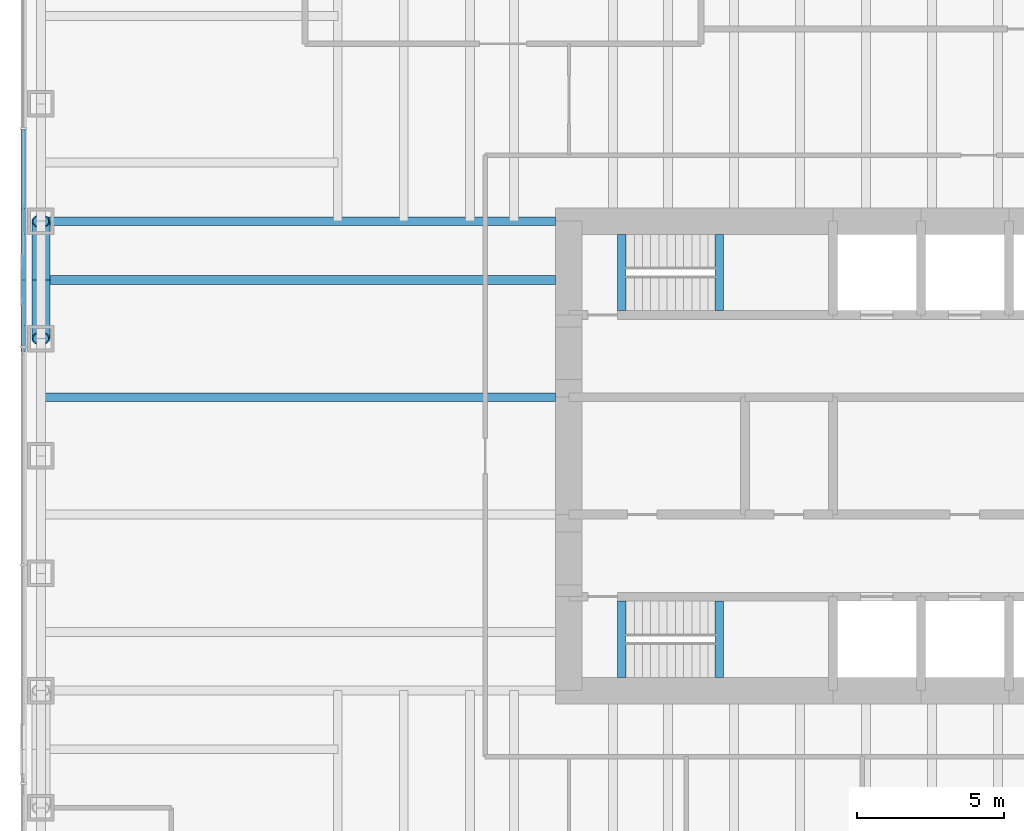
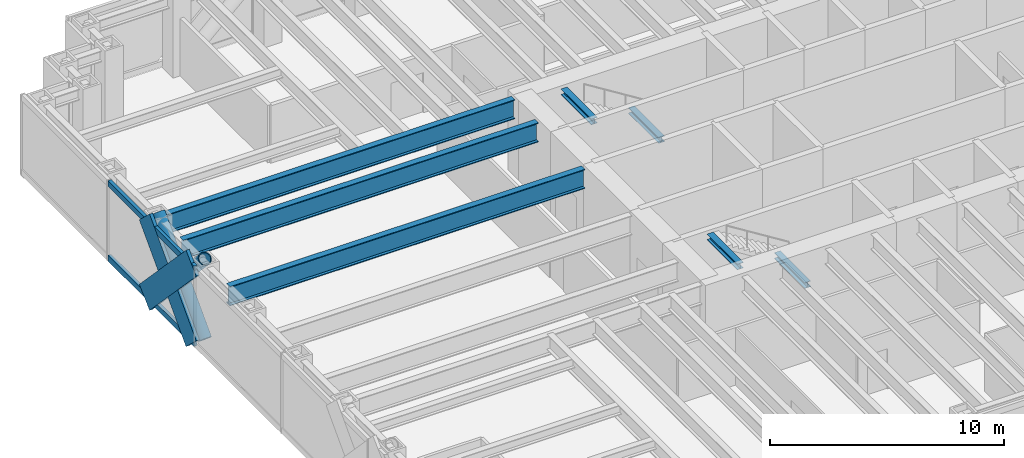
# One storey, part 3 of 17: 7 beams, 6 members, 1 element without a shape of its own.
"""IFC4 building model written with IfcOpenShell, lengths in metres."""

from ifc_helpers import new_model, si_unit, direction, frame, origin, origin_2d, place, context, subcontext, project, spatial, rectangle, hollow_circle, i_section, extrude, material, material_profile, profile_set, type_object, element, aggregate, save


model = new_model("IFC4")

# Units and contexts
model_context = context("Model", 3, precision=1e-05, world=origin(), true_north=direction((0.0, 1.0)))
body_context = subcontext(model_context, "Body", "Model", "MODEL_VIEW")
ifc_project = project(units=[si_unit("LENGTHUNIT", "METRE"), si_unit("AREAUNIT", "SQUARE_METRE"), si_unit("VOLUMEUNIT", "CUBIC_METRE"), si_unit("PLANEANGLEUNIT", "RADIAN"), si_unit("MASSUNIT", "GRAM", prefix="KILO")], contexts=[model_context])

# Site, building, storey
site_placement = place(None, origin())
site = spatial("IfcSite", under=ifc_project, at=site_placement, CompositionType="ELEMENT")
building_placement = place(site_placement, origin())
building = spatial("IfcBuilding", under=site, at=building_placement, Name="Rheinbord Bourse Tower", CompositionType="ELEMENT")
storey_placement = place(building_placement, frame((0.0, 0.0, 129.89990234375)))
storey = spatial("IfcBuildingStorey", under=building, at=storey_placement, Name="L28", CompositionType="ELEMENT", Elevation=129.89990234375)

# Curtain wall, members
ifc_material_1 = material(Name="Dark glass and black aluminium", Category="aluminium")
curtain_wall_type = type_object("IfcCurtainWallType", Name="CW2 DARK GLASS CURTAIN WALL", PredefinedType="USERDEFINED", material=ifc_material_1)
curtain_wall_placement = place(storey_placement, origin())
curtain_wall = element("IfcCurtainWall", 1, at=curtain_wall_placement, inside=storey, type_object=curtain_wall_type, Name="Curtain wall CW2 W L28", ObjectType="UNITISED CURTAIN WALL", PredefinedType="USERDEFINED")
ifc_material_2 = material(Name="Black anodised aluminium", Category="aluminium")
ifc_material_profile_1 = material_profile(ifc_material_2, rectangle(XDim=0.159912109375, YDim=1.2099609375, at=origin_2d()), Name="CW2 DIAGONAL MULLION 1210x160")
ifc_profile_set_1 = profile_set([ifc_material_profile_1], Name="Black anodised aluminium")
member_type_1 = type_object("IfcMemberType", Name="CW2 BLACK DIAGONAL MULLION", PredefinedType="USERDEFINED", material=ifc_profile_set_1)
member_1_placement = place(storey_placement, frame((-0.60009765625, 32.0, 0.0), z_axis=(0.0, -0.689638355374, 0.72415394689), x_axis=(1.0, 0.0, 0.0)))
member_1 = element("IfcMember", 2, at=member_1_placement, type_object=member_type_1, Name="CW2 diagonal mullion a", ObjectType="DIAGONAL MULLION", PredefinedType="USERDEFINED", context=body_context, shape_type="SweptSolid", body=[
    extrude(rectangle(XDim=0.159912109375, YDim=1.2099609375, at=origin_2d()), origin(), (0.0, 0.0, 1.0), 5.800048828125),
])
member_2_placement = place(storey_placement, frame((-0.60009765625, 28.0, 0.0), z_axis=(0.0, 0.689638355374, 0.72415394689), x_axis=(-1.0, 0.0, 0.0)))
member_2 = element("IfcMember", 3, at=member_2_placement, type_object=member_type_1, Name="CW2 diagonal mullion d", ObjectType="DIAGONAL MULLION", PredefinedType="USERDEFINED", context=body_context, shape_type="SweptSolid", body=[
    extrude(rectangle(XDim=0.159912109375, YDim=1.2099609375, at=origin_2d()), origin(), (0.0, 0.0, 1.0), 5.800048828125),
])
ifc_material_3 = material(Name="Black anodised aluminium", Category="aluminium")
ifc_material_profile_2 = material_profile(ifc_material_3, rectangle(XDim=0.159912109375, YDim=0.300048828125, at=origin_2d()), Name="CW2 TRANSOM 300x160")
ifc_profile_set_2 = profile_set([ifc_material_profile_2], Name="Black anodised aluminium")
member_type_2 = type_object("IfcMemberType", Name="CW2 BLACK TRANSOM", PredefinedType="USERDEFINED", material=ifc_profile_set_2)
member_3_placement = place(storey_placement, frame((-0.60009765625, 35.125, 0.150146484375), z_axis=(0.0, -1.0, 0.0), x_axis=(1.0, 0.0, 0.0)))
member_3 = element("IfcMember", 4, at=member_3_placement, type_object=member_type_2, Name="CW2 transom 2.1", ObjectType="TRANSOM", PredefinedType="USERDEFINED", context=body_context, shape_type="SweptSolid", body=[
    extrude(rectangle(XDim=0.159912109375, YDim=0.300048828125, at=origin_2d()), origin(), (0.0, 0.0, 1.0), 7.3701171875),
])
member_4_placement = place(storey_placement, frame((-0.60009765625, 35.125, 4.050048828125), z_axis=(0.0, -1.0, 0.0), x_axis=(1.0, 0.0, 0.0)))
member_4 = element("IfcMember", 5, at=member_4_placement, type_object=member_type_2, Name="CW2 transom 2.2", ObjectType="TRANSOM", PredefinedType="USERDEFINED", context=body_context, shape_type="SweptSolid", body=[
    extrude(rectangle(XDim=0.159912109375, YDim=0.300048828125, at=origin_2d()), origin(), (0.0, 0.0, 1.0), 7.3701171875),
])
aggregate(curtain_wall, [member_3, member_4, member_1, member_2])

# Beams
ifc_material_4 = material(Name="Steel S460", Category="steel")
ifc_material_profile_3 = material_profile(ifc_material_4, i_section(OverallWidth=0.302001953125, OverallDepth=1.008056640625, WebThickness=0.02099609375, FlangeThickness=0.0400390625, at=origin_2d()), Name="HEM 1000")
ifc_profile_set_3 = profile_set([ifc_material_profile_3], Name="Steel S460")
beam_type_1 = type_object("IfcBeamType", Name="END BEAM HEM 1000", PredefinedType="BEAM", material=ifc_profile_set_3)
for number, where, z_axis, x_axis, name in (
    (6, (0.0, 26.0, 3.5361328125), (1.0, 0.0, 0.0), (0.0, 1.0, 0.0), "End beam west 26 L29"),
    (7, (0.0, 30.0, 3.5361328125), (1.0, 0.0, 0.0), (0.0, 1.0, 0.0), "End beam west 30 L29"),
):
    element("IfcBeam", number, at=place(storey_placement, frame(where, z_axis=z_axis, x_axis=x_axis)), inside=storey, type_object=beam_type_1, Name=name, PredefinedType="BEAM", context=body_context, shape_type="SweptSolid", body=[
        extrude(i_section(OverallWidth=0.302001953125, OverallDepth=1.008056640625, WebThickness=0.02099609375, FlangeThickness=0.0400390625, at=origin_2d()), origin(), (0.0, 0.0, 1.0), 17.550048828125),
    ])
ifc_material_5 = material(Name="Steel S460", Category="steel")
ifc_material_profile_4 = material_profile(ifc_material_5, i_section(OverallWidth=0.302001953125, OverallDepth=1.008056640625, WebThickness=0.02099609375, FlangeThickness=0.0400390625, at=origin_2d()), Name="HEM 1000")
ifc_profile_set_4 = profile_set([ifc_material_profile_4], Name="Steel S460")
beam_type_2 = type_object("IfcBeamType", Name="GIRDER HEM 1000", PredefinedType="BEAM", material=ifc_profile_set_4)
beam_placement = place(storey_placement, frame((0.0, 32.0, 3.5361328125), z_axis=(1.0, 0.0, 0.0), x_axis=(0.0, 1.0, 0.0)))
element("IfcBeam", 8, at=beam_placement, inside=storey, type_object=beam_type_2, Name="Girder west 32 L29", PredefinedType="BEAM", context=body_context, shape_type="SweptSolid", body=[
    extrude(i_section(OverallWidth=0.302001953125, OverallDepth=1.008056640625, WebThickness=0.02099609375, FlangeThickness=0.0400390625, at=origin_2d()), origin(), (0.0, 0.0, 1.0), 17.550048828125),
])
ifc_material_6 = material(Name="Steel S460", Category="steel")
ifc_material_profile_5 = material_profile(ifc_material_6, i_section(OverallWidth=0.300048828125, OverallDepth=0.300048828125, WebThickness=0.010986328125, FlangeThickness=0.01904296875, at=origin_2d()), Name="HEB 300")
ifc_profile_set_5 = profile_set([ifc_material_profile_5], Name="Steel S460")
beam_type_3 = type_object("IfcBeamType", Name="LANDING TRIMMER HEB 300", PredefinedType="BEAM", material=ifc_profile_set_5)
for number, where, z_axis, x_axis, name in (
    (9, (23.1298828125, 16.449951171875, 1.75), (0.0, 1.0, 0.0), (-1.0, 0.0, 0.0), "Landing trimmer ST1 L28"),
    (10, (19.800048828125, 16.449951171875, 3.89013671875), (0.0, 1.0, 0.0), (-1.0, 0.0, 0.0), "Well trimmer ST1 under L29"),
    (11, (23.1298828125, 28.949951171875, 1.75), (0.0, 1.0, 0.0), (-1.0, 0.0, 0.0), "Landing trimmer ST2 L28"),
    (12, (19.800048828125, 28.949951171875, 3.89013671875), (0.0, 1.0, 0.0), (-1.0, 0.0, 0.0), "Well trimmer ST2 under L29"),
):
    element("IfcBeam", number, at=place(storey_placement, frame(where, z_axis=z_axis, x_axis=x_axis)), inside=storey, type_object=beam_type_3, Name=name, PredefinedType="BEAM", context=body_context, shape_type="SweptSolid", body=[
        extrude(i_section(OverallWidth=0.300048828125, OverallDepth=0.300048828125, WebThickness=0.010986328125, FlangeThickness=0.01904296875, at=origin_2d()), origin(), (0.0, 0.0, 1.0), 2.60009765625),
    ])

# Members
ifc_material_7 = material(Name="Steel S460", Category="steel")
ifc_material_profile_6 = material_profile(ifc_material_7, hollow_circle(Radius=0.304931640625, WallThickness=0.0400390625, at=origin_2d()), Name="CHS 610x40")
ifc_profile_set_6 = profile_set([ifc_material_profile_6], Name="Steel S460")
member_type_3 = type_object("IfcMemberType", Name="MEGABRACE CHS 610x40", PredefinedType="BRACE", material=ifc_profile_set_6)
for number, where, z_axis, x_axis, name in (
    (13, (0.0, 32.0, 0.0), (0.0, -0.689638355374, 0.72415394689), (1.0, 0.0, 0.0), "Megabrace W face line a L28"),
    (14, (0.0, 28.0, 0.0), (0.0, 0.689638355374, 0.72415394689), (-1.0, 0.0, 0.0), "Megabrace W face line d L28"),
):
    element("IfcMember", number, at=place(storey_placement, frame(where, z_axis=z_axis, x_axis=x_axis)), inside=storey, type_object=member_type_3, Name=name, PredefinedType="BRACE", context=body_context, shape_type="SweptSolid", body=[
        extrude(hollow_circle(Radius=0.304931640625, WallThickness=0.0400390625, at=origin_2d()), origin(), (0.0, 0.0, 1.0), 5.800048828125),
    ])

save(model, "model.ifc")
